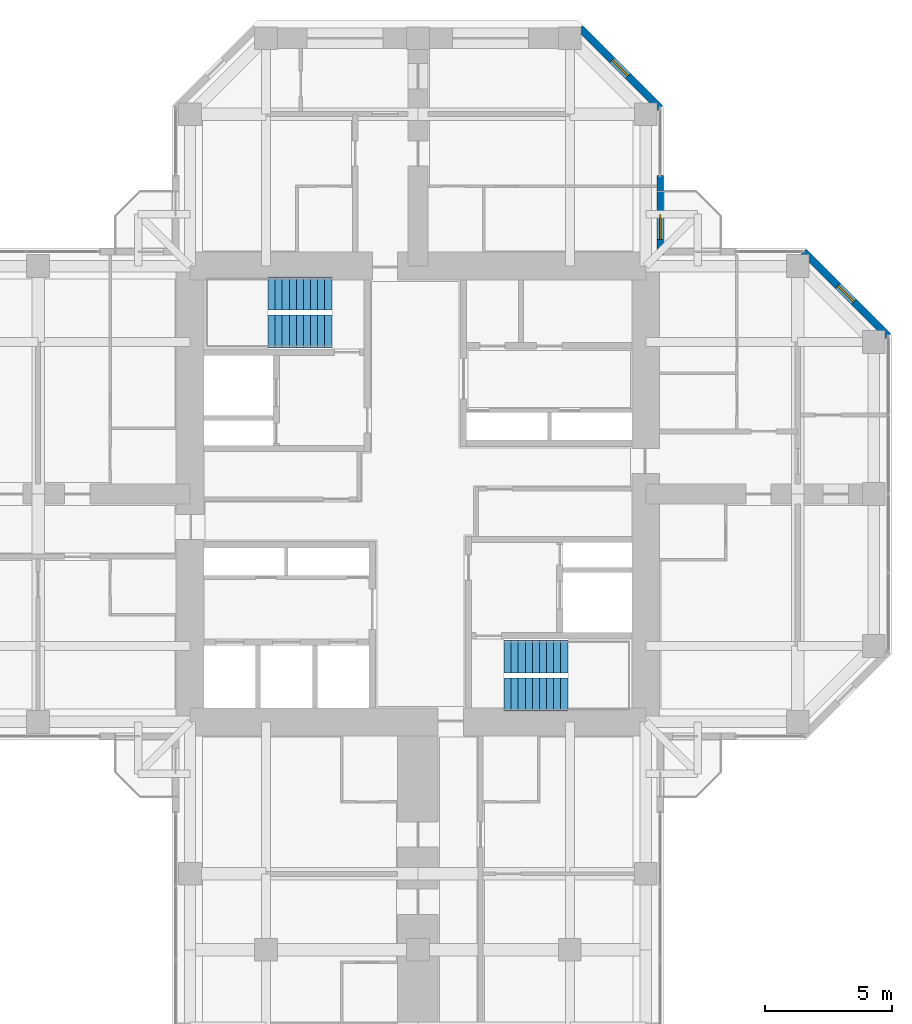
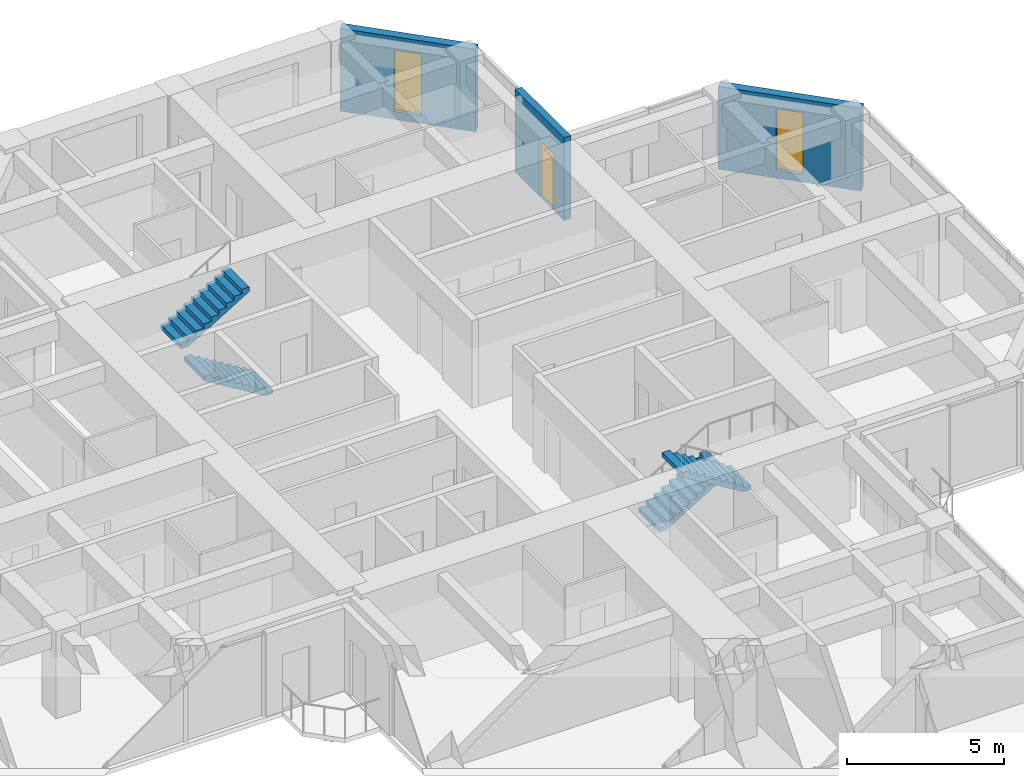
# One storey, part 13 of 14: 4 stair flights, 3 walls, 2 windows, 1 door, 3 openings, 2 elements without a shape of their own.
"""IFC4 building model written with IfcOpenShell, lengths in metres."""

from ifc_helpers import new_model, si_unit, direction, frame, frame_2d, origin, place, context, subcontext, project, spatial, polyline, rectangle, hollow_rectangle, outline, extrude, material, layer, layer_set, constituent, constituent_set, type_object, element, fill, aggregate, save


model = new_model("IFC4")

# Units and contexts
model_context = context("Model", 3, precision=1e-05, world=origin(), true_north=direction((0.0, 1.0)))
body_context = subcontext(model_context, "Body", "Model", "MODEL_VIEW")
ifc_project = project(units=[si_unit("LENGTHUNIT", "METRE"), si_unit("AREAUNIT", "SQUARE_METRE"), si_unit("VOLUMEUNIT", "CUBIC_METRE"), si_unit("PLANEANGLEUNIT", "RADIAN"), si_unit("MASSUNIT", "GRAM", prefix="KILO")], contexts=[model_context])

# Site, building, storey
site_placement = place(None, origin())
site = spatial("IfcSite", under=ifc_project, at=site_placement, CompositionType="ELEMENT")
building_placement = place(site_placement, origin())
building = spatial("IfcBuilding", under=site, at=building_placement, Name="Torre Cruceta", CompositionType="ELEMENT")
storey_placement = place(building_placement, frame((0.0, 0.0, 203.5)))
storey = spatial("IfcBuildingStorey", under=building, at=storey_placement, Name="L51", CompositionType="ELEMENT", Elevation=203.5)

# Wall, opening, window
ifc_material_1 = material(Name="Concrete G30 (fck 30 MPa)", Category="concrete")
ifc_layer_1 = layer(ifc_material_1, 0.300048828125)
ifc_layer_set_1 = layer_set([ifc_layer_1], Name="Concrete G30 (fck 30 MPa)")
wall_type_1 = type_object("IfcWallType", Name="EXPOSED CONCRETE FACADE WALL 300", PredefinedType="SOLIDWALL", material=ifc_layer_set_1)
wall_1_placement = place(storey_placement, frame((18.570068359375, 6.236083984375, 0.0), z_axis=(0.0, 0.0, 1.0), x_axis=(-0.707106781187, 0.707106781187, 0.0)))
wall_1 = element("IfcWall", 1, at=wall_1_placement, inside=storey, type_object=wall_type_1, Name="EW1 facade wall L51 E chamfer 03", PredefinedType="SOLIDWALL", context=body_context, shape_type="SweptSolid", body=[
    extrude(rectangle(XDim=4.715087890625, YDim=0.300048828125, at=frame_2d((2.357421875, 0.0))), origin(), (0.0, 0.0, 1.0), 3.219970703125),
])
opening_1_placement = place(wall_1_placement, frame((1.907470703125, 0.0, 0.300048828125)))
opening_1 = element("IfcOpeningElement", 2, at=opening_1_placement, cuts=wall_1, Name="Opening WN5", PredefinedType="OPENING", context=body_context, shape_type="SweptSolid", body=[
    extrude(rectangle(XDim=0.89990234375, YDim=2.39990234375, at=frame_2d((0.449951171875, 1.199951171875))), frame((0.0, 0.159912109375, 0.0), z_axis=(0.0, -1.0, 0.0), x_axis=(1.0, 0.0, 0.0)), (0.0, 0.0, 1.0), 0.320068359375),
])
ifc_material_2 = material(Name="Aluminium window frame", Category="aluminium")
ifc_constituent_1 = constituent(ifc_material_2, Name="Frame")
ifc_material_3 = material(Name="Laminated insulating glass unit, low-iron clear", Category="glass")
ifc_constituent_2 = constituent(ifc_material_3, Name="Glazing")
ifc_constituent_set_1 = constituent_set(constituents=[ifc_constituent_1, ifc_constituent_2], Name="Aluminium window")
window_type = type_object("IfcWindowType", Name="CHAMFER SLOT WINDOW 900X2400", PartitioningType="SINGLE_PANEL", PredefinedType="WINDOW", material=ifc_constituent_set_1)
window_1_placement = place(opening_1_placement, origin())
window_1 = element("IfcWindow", 3, at=window_1_placement, inside=storey, type_object=window_type, Name="WN5 L51 E 1", OverallHeight=2.39990234375, OverallWidth=0.89990234375, PartitioningType="SINGLE_PANEL", PredefinedType="WINDOW", context=body_context, shape_type="SweptSolid", body=[
    extrude(hollow_rectangle(XDim=0.89990234375, YDim=2.39990234375, WallThickness=0.06005859375, at=frame_2d((0.449951171875, 1.199951171875))), frame((0.0, 0.030029296875, 0.0), z_axis=(0.0, -1.0, 0.0), x_axis=(1.0, 0.0, 0.0)), (0.0, 0.0, 1.0), 0.06005859375),
    extrude(rectangle(XDim=0.77880859375, YDim=2.27880859375, at=frame_2d((0.449951171875, 1.199951171875))), frame((0.0, 0.030029296875, 0.0), z_axis=(0.0, -1.0, 0.0), x_axis=(1.0, 0.0, 0.0)), (0.0, 0.0, 1.0), 0.06005859375),
])
fill(opening_1, window_1)

wall_2_placement = place(storey_placement, frame((9.570068359375, 15.236083984375, 0.0), z_axis=(0.0, 0.0, 1.0), x_axis=(-0.707134062067, 0.707079499254, 0.0)))
wall_2 = element("IfcWall", 4, at=wall_2_placement, inside=storey, type_object=wall_type_1, Name="EW1 facade wall L51 N chamfer 06", PredefinedType="SOLIDWALL", context=body_context, shape_type="SweptSolid", body=[
    extrude(rectangle(XDim=4.474609375, YDim=0.300048828125, at=frame_2d((2.2373046875, 0.0))), origin(), (0.0, 0.0, 1.0), 3.219970703125),
])
opening_2_placement = place(wall_2_placement, frame((1.787109375, 0.0, 0.300048828125)))
opening_2 = element("IfcOpeningElement", 5, at=opening_2_placement, cuts=wall_2, Name="Opening WN5", PredefinedType="OPENING", context=body_context, shape_type="SweptSolid", body=[
    extrude(rectangle(XDim=0.89990234375, YDim=2.39990234375, at=frame_2d((0.449951171875, 1.199951171875))), frame((0.0, 0.159912109375, 0.0), z_axis=(0.0, -1.0, 0.0), x_axis=(1.0, 0.0, 0.0)), (0.0, 0.0, 1.0), 0.320068359375),
])
window_2_placement = place(opening_2_placement, origin())
window_2 = element("IfcWindow", 6, at=window_2_placement, inside=storey, type_object=window_type, Name="WN5 L51 N 1", OverallHeight=2.39990234375, OverallWidth=0.89990234375, PartitioningType="SINGLE_PANEL", PredefinedType="WINDOW", context=body_context, shape_type="SweptSolid", body=[
    extrude(hollow_rectangle(XDim=0.89990234375, YDim=2.39990234375, WallThickness=0.06005859375, at=frame_2d((0.449951171875, 1.199951171875))), frame((0.0, 0.030029296875, 0.0), z_axis=(0.0, -1.0, 0.0), x_axis=(1.0, 0.0, 0.0)), (0.0, 0.0, 1.0), 0.06005859375),
    extrude(rectangle(XDim=0.77880859375, YDim=2.27880859375, at=frame_2d((0.449951171875, 1.199951171875))), frame((0.0, 0.030029296875, 0.0), z_axis=(0.0, -1.0, 0.0), x_axis=(1.0, 0.0, 0.0)), (0.0, 0.0, 1.0), 0.06005859375),
])
fill(opening_2, window_2)

# Wall, opening, door
ifc_material_4 = material(Name="Concrete G30 (fck 30 MPa)", Category="concrete")
ifc_layer_2 = layer(ifc_material_4, 0.25)
ifc_layer_set_2 = layer_set([ifc_layer_2], Name="Concrete G30 (fck 30 MPa)")
wall_type_2 = type_object("IfcWallType", Name="WINTER GARDEN WALL 250", PredefinedType="SOLIDWALL", material=ifc_layer_set_2)
wall_3_placement = place(storey_placement, frame((9.570068359375, 9.445068359375, 0.0), z_axis=(0.0, 0.0, 1.0), x_axis=(0.0, 1.0, 0.0)))
wall_3 = element("IfcWall", 7, at=wall_3_placement, inside=storey, type_object=wall_type_2, Name="EW2 winter garden wall L51 05", PredefinedType="SOLIDWALL", context=body_context, shape_type="SweptSolid", body=[
    extrude(rectangle(XDim=3.125, YDim=0.25, at=frame_2d((1.5625, 0.0))), origin(), (0.0, 0.0, 1.0), 3.219970703125),
])
opening_3_placement = place(wall_3_placement, frame((0.60009765625, 0.0, 0.0)))
opening_3 = element("IfcOpeningElement", 8, at=opening_3_placement, cuts=wall_3, Name="Opening D10", PredefinedType="OPENING", context=body_context, shape_type="SweptSolid", body=[
    extrude(rectangle(XDim=1.0, YDim=2.199951171875, at=frame_2d((0.5, 1.10009765625))), frame((0.0, 0.135009765625, 0.0), z_axis=(0.0, -1.0, 0.0), x_axis=(1.0, 0.0, 0.0)), (0.0, 0.0, 1.0), 0.27001953125),
])
ifc_material_5 = material(Name="Aluminium door frame", Category="aluminium")
ifc_constituent_3 = constituent(ifc_material_5, Name="Frame")
ifc_material_6 = material(Name="Laminated safety glass", Category="glass")
ifc_constituent_4 = constituent(ifc_material_6, Name="Glazing")
ifc_constituent_set_2 = constituent_set(constituents=[ifc_constituent_3, ifc_constituent_4], Name="Aluminium glazed door")
door_type = type_object("IfcDoorType", Name="BALCONY DOOR 1000X2200", OperationType="SINGLE_SWING_RIGHT", PredefinedType="DOOR", material=ifc_constituent_set_2)
door_placement = place(opening_3_placement, origin())
door = element("IfcDoor", 9, at=door_placement, inside=storey, type_object=door_type, Name="D10 balcony door L51 05", OperationType="SINGLE_SWING_LEFT", OverallHeight=2.199951171875, OverallWidth=1.0, PredefinedType="DOOR", context=body_context, shape_type="SweptSolid", body=[
    extrude(hollow_rectangle(XDim=1.0, YDim=2.199951171875, WallThickness=0.06005859375, at=frame_2d((0.5, 1.10009765625))), frame((0.0, 0.02490234375, 0.0), z_axis=(0.0, -1.0, 0.0), x_axis=(1.0, 0.0, 0.0)), (0.0, 0.0, 1.0), 0.050048828125),
    extrude(rectangle(XDim=0.87890625, YDim=2.078857421875, at=frame_2d((0.5, 1.10009765625))), frame((0.0, 0.02490234375, 0.0), z_axis=(0.0, -1.0, 0.0), x_axis=(1.0, 0.0, 0.0)), (0.0, 0.0, 1.0), 0.050048828125),
])
fill(opening_3, door)

# Stair, stair flights
ifc_material_7 = material(Name="Concrete G30 (fck 30 MPa)", Category="concrete")
stair_type = type_object("IfcStairType", Name="STAIR HALF-TURN 1300", PredefinedType="HALF_TURN_STAIR", material=ifc_material_7)
stair_1_placement = place(storey_placement, origin())
stair_1 = element("IfcStair", 10, at=stair_1_placement, inside=storey, type_object=stair_type, Name="Stair ST1 L51", PredefinedType="HALF_TURN_STAIR")
ifc_material_8 = material(Name="Concrete G30 (fck 30 MPa)", Category="concrete")
stair_flight_type = type_object("IfcStairFlightType", Name="STAIR FLIGHT 1300", PredefinedType="STRAIGHT", material=ifc_material_8)
stair_flight_1_placement = place(storey_placement, frame((-3.39990234375, 6.425048828125, 0.0), z_axis=(0.0, 0.0, 1.0), x_axis=(-1.0, 0.0, 0.0)))
stair_flight_1 = element("IfcStairFlight", 11, at=stair_flight_1_placement, type_object=stair_flight_type, Name="ST1 flight 1", NumberOfRisers=10, NumberOfTreads=9, PredefinedType="STRAIGHT", RiserHeight=0.17, TreadLength=0.28, context=body_context, shape_type="SweptSolid", body=[
    extrude(outline(polyline([(0.0, 0.0), (0.0, 0.169921875), (0.280029296875, 0.169921875), (0.280029296875, 0.340087890625), (0.56005859375, 0.340087890625), (0.56005859375, 0.510009765625), (0.840087890625, 0.510009765625), (0.840087890625, 0.679931640625), (1.1201171875, 0.679931640625), (1.1201171875, 0.85009765625), (1.39990234375, 0.85009765625), (1.39990234375, 1.02001953125), (1.679931640625, 1.02001953125), (1.679931640625, 1.18994140625), (1.9599609375, 1.18994140625), (1.9599609375, 1.360107421875), (2.239990234375, 1.360107421875), (2.239990234375, 1.530029296875), (2.52001953125, 1.530029296875), (2.52001953125, 1.699951171875), (2.52001953125, 1.354736328125), (0.288818359375, 0.0), (0.0, 0.0)])), frame((0.0, 0.64990234375, 0.0), z_axis=(0.0, -1.0, 0.0), x_axis=(1.0, 0.0, 0.0)), (0.0, 0.0, 1.0), 1.300048828125),
])
stair_flight_2_placement = place(storey_placement, frame((-5.919921875, 7.925048828125, 1.699951171875), z_axis=(0.0, 0.0, 1.0), x_axis=(1.0, 0.0, 0.0)))
stair_flight_2 = element("IfcStairFlight", 12, at=stair_flight_2_placement, type_object=stair_flight_type, Name="ST1 flight 2", NumberOfRisers=10, NumberOfTreads=9, PredefinedType="STRAIGHT", RiserHeight=0.17, TreadLength=0.28, context=body_context, shape_type="SweptSolid", body=[
    extrude(outline(polyline([(0.0, 0.0), (0.0, 0.169921875), (0.280029296875, 0.169921875), (0.280029296875, 0.340087890625), (0.56005859375, 0.340087890625), (0.56005859375, 0.510009765625), (0.840087890625, 0.510009765625), (0.840087890625, 0.679931640625), (1.1201171875, 0.679931640625), (1.1201171875, 0.85009765625), (1.39990234375, 0.85009765625), (1.39990234375, 1.02001953125), (1.679931640625, 1.02001953125), (1.679931640625, 1.18994140625), (1.9599609375, 1.18994140625), (1.9599609375, 1.360107421875), (2.239990234375, 1.360107421875), (2.239990234375, 1.530029296875), (2.52001953125, 1.530029296875), (2.52001953125, 1.699951171875), (2.52001953125, 1.354736328125), (0.288818359375, 0.0), (0.0, 0.0)])), frame((0.0, 0.64990234375, 0.0), z_axis=(0.0, -1.0, 0.0), x_axis=(1.0, 0.0, 0.0)), (0.0, 0.0, 1.0), 1.300048828125),
])
aggregate(stair_1, [stair_flight_1, stair_flight_2])

stair_2_placement = place(storey_placement, origin())
stair_2 = element("IfcStair", 13, at=stair_2_placement, inside=storey, type_object=stair_type, Name="Stair ST2 L51", PredefinedType="HALF_TURN_STAIR")
stair_flight_3_placement = place(storey_placement, frame((3.39990234375, -6.425048828125, 0.0), z_axis=(0.0, 0.0, 1.0), x_axis=(1.0, 0.0, 0.0)))
stair_flight_3 = element("IfcStairFlight", 14, at=stair_flight_3_placement, type_object=stair_flight_type, Name="ST2 flight 1", NumberOfRisers=10, NumberOfTreads=9, PredefinedType="STRAIGHT", RiserHeight=0.17, TreadLength=0.28, context=body_context, shape_type="SweptSolid", body=[
    extrude(outline(polyline([(0.0, 0.0), (0.0, 0.169921875), (0.280029296875, 0.169921875), (0.280029296875, 0.340087890625), (0.56005859375, 0.340087890625), (0.56005859375, 0.510009765625), (0.840087890625, 0.510009765625), (0.840087890625, 0.679931640625), (1.1201171875, 0.679931640625), (1.1201171875, 0.85009765625), (1.39990234375, 0.85009765625), (1.39990234375, 1.02001953125), (1.679931640625, 1.02001953125), (1.679931640625, 1.18994140625), (1.9599609375, 1.18994140625), (1.9599609375, 1.360107421875), (2.239990234375, 1.360107421875), (2.239990234375, 1.530029296875), (2.52001953125, 1.530029296875), (2.52001953125, 1.699951171875), (2.52001953125, 1.354736328125), (0.288818359375, 0.0), (0.0, 0.0)])), frame((0.0, 0.64990234375, 0.0), z_axis=(0.0, -1.0, 0.0), x_axis=(1.0, 0.0, 0.0)), (0.0, 0.0, 1.0), 1.300048828125),
])
stair_flight_4_placement = place(storey_placement, frame((5.919921875, -7.925048828125, 1.699951171875), z_axis=(0.0, 0.0, 1.0), x_axis=(-1.0, 0.0, 0.0)))
stair_flight_4 = element("IfcStairFlight", 15, at=stair_flight_4_placement, type_object=stair_flight_type, Name="ST2 flight 2", NumberOfRisers=10, NumberOfTreads=9, PredefinedType="STRAIGHT", RiserHeight=0.17, TreadLength=0.28, context=body_context, shape_type="SweptSolid", body=[
    extrude(outline(polyline([(0.0, 0.0), (0.0, 0.169921875), (0.280029296875, 0.169921875), (0.280029296875, 0.340087890625), (0.56005859375, 0.340087890625), (0.56005859375, 0.510009765625), (0.840087890625, 0.510009765625), (0.840087890625, 0.679931640625), (1.1201171875, 0.679931640625), (1.1201171875, 0.85009765625), (1.39990234375, 0.85009765625), (1.39990234375, 1.02001953125), (1.679931640625, 1.02001953125), (1.679931640625, 1.18994140625), (1.9599609375, 1.18994140625), (1.9599609375, 1.360107421875), (2.239990234375, 1.360107421875), (2.239990234375, 1.530029296875), (2.52001953125, 1.530029296875), (2.52001953125, 1.699951171875), (2.52001953125, 1.354736328125), (0.288818359375, 0.0), (0.0, 0.0)])), frame((0.0, 0.64990234375, 0.0), z_axis=(0.0, -1.0, 0.0), x_axis=(1.0, 0.0, 0.0)), (0.0, 0.0, 1.0), 1.300048828125),
])
aggregate(stair_2, [stair_flight_3, stair_flight_4])

save(model, "model.ifc")
